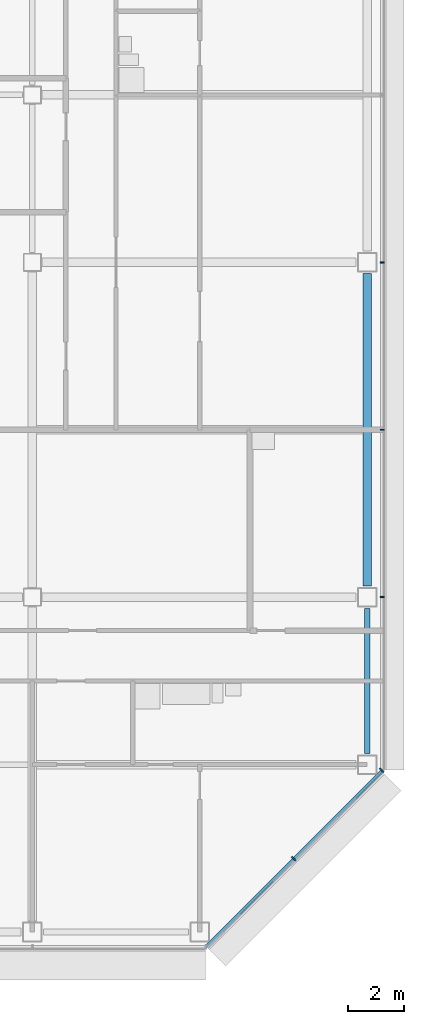
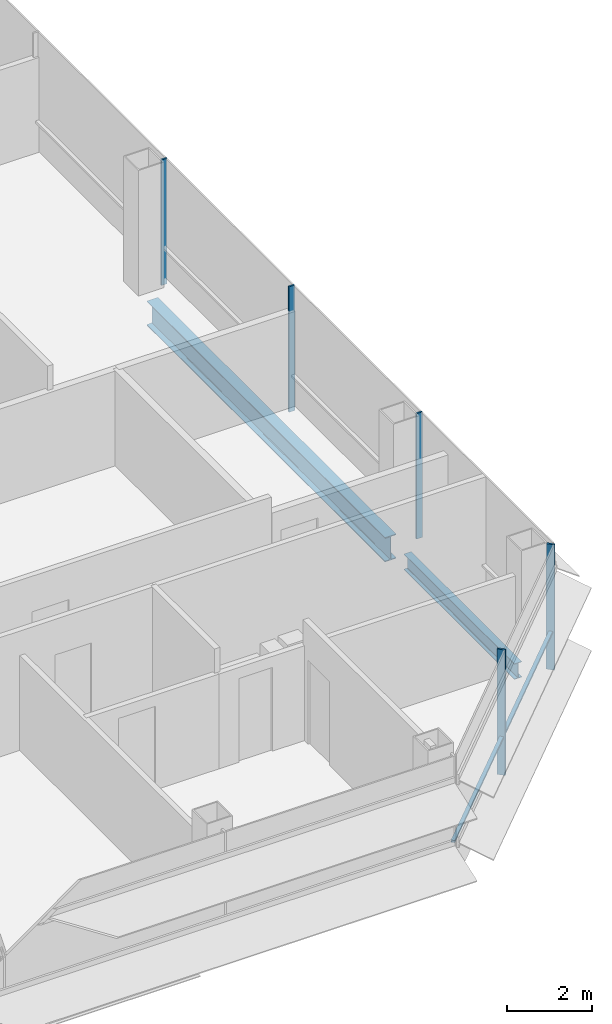
# One storey, part 15 of 26: 6 members, 2 beams, 2 elements without a shape of their own.
"""IFC4 building model written with IfcOpenShell, lengths in metres."""

from ifc_helpers import new_model, si_unit, direction, frame, origin, origin_2d, place, context, subcontext, project, spatial, rectangle, i_section, extrude, material, material_profile, profile_set, type_object, element, aggregate, save


model = new_model("IFC4")

# Units and contexts
model_context = context("Model", 3, precision=1e-05, world=origin(), true_north=direction((0.0, 1.0)))
body_context = subcontext(model_context, "Body", "Model", "MODEL_VIEW")
ifc_project = project(units=[si_unit("LENGTHUNIT", "METRE"), si_unit("AREAUNIT", "SQUARE_METRE"), si_unit("VOLUMEUNIT", "CUBIC_METRE"), si_unit("PLANEANGLEUNIT", "RADIAN"), si_unit("MASSUNIT", "GRAM", prefix="KILO")], contexts=[model_context])

# Site, building, storey
site_placement = place(None, origin())
site = spatial("IfcSite", under=ifc_project, at=site_placement, CompositionType="ELEMENT")
building_placement = place(site_placement, origin())
building = spatial("IfcBuilding", under=site, at=building_placement, Name="Sorahane Residences", CompositionType="ELEMENT")
storey_placement = place(building_placement, frame((0.0, 0.0, 147.39990234375)))
storey = spatial("IfcBuildingStorey", under=building, at=storey_placement, Name="L33", CompositionType="ELEMENT", Elevation=147.39990234375)

# Curtain wall, members
ifc_material_1 = material(Name="Dark low-e glass and black anodised aluminium", Category="aluminium")
curtain_wall_type_1 = type_object("IfcCurtainWallType", Name="Curtain wall CW-1 Typical unitised wall", PredefinedType="NOTDEFINED", material=ifc_material_1)
curtain_wall_1_placement = place(storey_placement, origin())
curtain_wall_1 = element("IfcCurtainWall", 1, at=curtain_wall_1_placement, inside=storey, type_object=curtain_wall_type_1, Name="CW-1 curtain wall L33 E1", PredefinedType="NOTDEFINED")
ifc_material_2 = material(Name="Black anodised aluminium", Category="aluminium")
ifc_material_profile_1 = material_profile(ifc_material_2, rectangle(XDim=0.159912109375, YDim=0.050048828125, at=origin_2d()), Name="Curtain wall mullion CW-1 black anodised aluminium 50x160")
ifc_profile_set_1 = profile_set([ifc_material_profile_1], Name="Black anodised aluminium")
member_type_1 = type_object("IfcMemberType", Name="Curtain wall mullion CW-1 black anodised aluminium 50x160", PredefinedType="MULLION", material=ifc_profile_set_1)
member_1_placement = place(storey_placement, frame((60.5400390625, 12.0, -0.179931640625), z_axis=(0.0, 0.0, 1.0), x_axis=(1.0, 0.0, 0.0)))
member_1 = element("IfcMember", 2, at=member_1_placement, type_object=member_type_1, Name="CW-1 mullion L33 E1.2", PredefinedType="MULLION", context=body_context, shape_type="SweptSolid", body=[
    extrude(rectangle(XDim=0.159912109375, YDim=0.050048828125, at=origin_2d()), origin(), (0.0, 0.0, 1.0), 3.60009765625),
])
member_2_placement = place(storey_placement, frame((60.5400390625, 18.0, -0.179931640625), z_axis=(0.0, 0.0, 1.0), x_axis=(1.0, 0.0, 0.0)))
member_2 = element("IfcMember", 3, at=member_2_placement, type_object=member_type_1, Name="CW-1 mullion L33 E1.3", PredefinedType="MULLION", context=body_context, shape_type="SweptSolid", body=[
    extrude(rectangle(XDim=0.159912109375, YDim=0.050048828125, at=origin_2d()), origin(), (0.0, 0.0, 1.0), 3.60009765625),
])
member_3_placement = place(storey_placement, frame((60.5400390625, 24.0, -0.179931640625), z_axis=(0.0, 0.0, 1.0), x_axis=(1.0, 0.0, 0.0)))
member_3 = element("IfcMember", 4, at=member_3_placement, type_object=member_type_1, Name="CW-1 mullion L33 E1.4", PredefinedType="MULLION", context=body_context, shape_type="SweptSolid", body=[
    extrude(rectangle(XDim=0.159912109375, YDim=0.050048828125, at=origin_2d()), origin(), (0.0, 0.0, 1.0), 3.60009765625),
])
aggregate(curtain_wall_1, [member_1, member_2, member_3])

ifc_material_3 = material(Name="Dark low-e glass and black anodised aluminium", Category="aluminium")
curtain_wall_type_2 = type_object("IfcCurtainWallType", Name="Curtain wall CW-2 Chamfer unitised wall", PredefinedType="NOTDEFINED", material=ifc_material_3)
curtain_wall_2_placement = place(storey_placement, origin())
curtain_wall_2 = element("IfcCurtainWall", 5, at=curtain_wall_2_placement, inside=storey, type_object=curtain_wall_type_2, Name="CW-2 curtain wall L33 SE1", PredefinedType="NOTDEFINED")
ifc_material_4 = material(Name="Black anodised aluminium", Category="aluminium")
ifc_material_profile_2 = material_profile(ifc_material_4, rectangle(XDim=0.199951171875, YDim=0.050048828125, at=origin_2d()), Name="Curtain wall mullion CW-2 black anodised aluminium 50x200")
ifc_profile_set_2 = profile_set([ifc_material_profile_2], Name="Black anodised aluminium")
member_type_2 = type_object("IfcMemberType", Name="Curtain wall mullion CW-2 black anodised aluminium 50x200", PredefinedType="MULLION", material=ifc_profile_set_2)
member_4_placement = place(storey_placement, frame((57.36767578125, 2.63232421875, -0.179931640625), z_axis=(0.0, 0.0, 1.0), x_axis=(0.707106781187, -0.707106781187, 0.0)))
member_4 = element("IfcMember", 6, at=member_4_placement, type_object=member_type_2, Name="CW-2 mullion L33 SE1.2", PredefinedType="MULLION", context=body_context, shape_type="SweptSolid", body=[
    extrude(rectangle(XDim=0.199951171875, YDim=0.050048828125, at=origin_2d()), origin(), (0.0, 0.0, 1.0), 3.60009765625),
])
member_5_placement = place(storey_placement, frame((60.525634765625, 5.790283203125, -0.179931640625), z_axis=(0.0, 0.0, 1.0), x_axis=(0.707106781187, -0.707106781187, 0.0)))
member_5 = element("IfcMember", 7, at=member_5_placement, type_object=member_type_2, Name="CW-2 mullion L33 SE1.3", PredefinedType="MULLION", context=body_context, shape_type="SweptSolid", body=[
    extrude(rectangle(XDim=0.199951171875, YDim=0.050048828125, at=origin_2d()), origin(), (0.0, 0.0, 1.0), 3.60009765625),
])
ifc_material_5 = material(Name="Black anodised aluminium", Category="aluminium")
ifc_material_profile_3 = material_profile(ifc_material_5, rectangle(XDim=0.10009765625, YDim=0.06005859375, at=origin_2d()), Name="Curtain wall transom CW-2 black anodised aluminium 60x100")
ifc_profile_set_3 = profile_set([ifc_material_profile_3], Name="Black anodised aluminium")
member_type_3 = type_object("IfcMemberType", Name="Curtain wall transom CW-2 black anodised aluminium 60x100", PredefinedType="USERDEFINED", material=ifc_profile_set_3)
member_6_placement = place(storey_placement, frame((54.234375, -0.51513671875, 0.900146484375), z_axis=(0.707106781187, 0.707106781187, 0.0), x_axis=(-0.707106781187, 0.707106781187, 0.0)))
member_6 = element("IfcMember", 8, at=member_6_placement, type_object=member_type_3, Name="CW-2 transom L33 SE1", ObjectType="TRANSOM", PredefinedType="USERDEFINED", context=body_context, shape_type="SweptSolid", body=[
    extrude(rectangle(XDim=0.10009765625, YDim=0.06005859375, at=origin_2d()), origin(), (0.0, 0.0, 1.0), 8.88232421875),
])
aggregate(curtain_wall_2, [member_4, member_5, member_6])

# Beams
ifc_material_6 = material(Name="Steel Q355B", Category="steel")
ifc_material_profile_4 = material_profile(ifc_material_6, i_section(OverallWidth=0.199951171875, OverallDepth=0.449951171875, WebThickness=0.009033203125, FlangeThickness=0.013916015625, FilletRadius=0.02001953125, at=origin_2d()), Name="HN 450x200x9x14")
ifc_profile_set_4 = profile_set([ifc_material_profile_4], Name="Steel Q355B")
beam_type_1 = type_object("IfcBeamType", Name="Steel floor beam HN 450x200x9x14 Q355B", PredefinedType="BEAM", material=ifc_profile_set_4)
beam_1_placement = place(storey_placement, frame((60.0, 6.39990234375, -0.40478515625), z_axis=(0.0, 1.0, 0.0), x_axis=(-1.0, 0.0, 0.0)))
element("IfcBeam", 9, at=beam_1_placement, inside=storey, type_object=beam_type_1, Name="Beam L33 064", PredefinedType="BEAM", context=body_context, shape_type="SweptSolid", body=[
    extrude(i_section(OverallWidth=0.199951171875, OverallDepth=0.449951171875, WebThickness=0.009033203125, FlangeThickness=0.013916015625, FilletRadius=0.02001953125, at=origin_2d()), origin(), (0.0, 0.0, 1.0), 5.2001953125),
])
ifc_material_7 = material(Name="Steel Q355B", Category="steel")
ifc_material_profile_5 = material_profile(ifc_material_7, i_section(OverallWidth=0.300048828125, OverallDepth=0.699951171875, WebThickness=0.012939453125, FlangeThickness=0.02392578125, FilletRadius=0.028076171875, at=origin_2d()), Name="HN 700x300x13x24")
ifc_profile_set_5 = profile_set([ifc_material_profile_5], Name="Steel Q355B")
beam_type_2 = type_object("IfcBeamType", Name="Steel floor beam HN 700x300x13x24 Q355B", PredefinedType="BEAM", material=ifc_profile_set_5)
beam_2_placement = place(storey_placement, frame((60.0, 12.39990234375, -0.52978515625), z_axis=(0.0, 1.0, 0.0), x_axis=(-1.0, 0.0, 0.0)))
element("IfcBeam", 10, at=beam_2_placement, inside=storey, type_object=beam_type_2, Name="Beam L33 065", PredefinedType="BEAM", context=body_context, shape_type="SweptSolid", body=[
    extrude(i_section(OverallWidth=0.300048828125, OverallDepth=0.699951171875, WebThickness=0.012939453125, FlangeThickness=0.02392578125, FilletRadius=0.028076171875, at=origin_2d()), origin(), (0.0, 0.0, 1.0), 11.2001953125),
])

save(model, "model.ifc")
